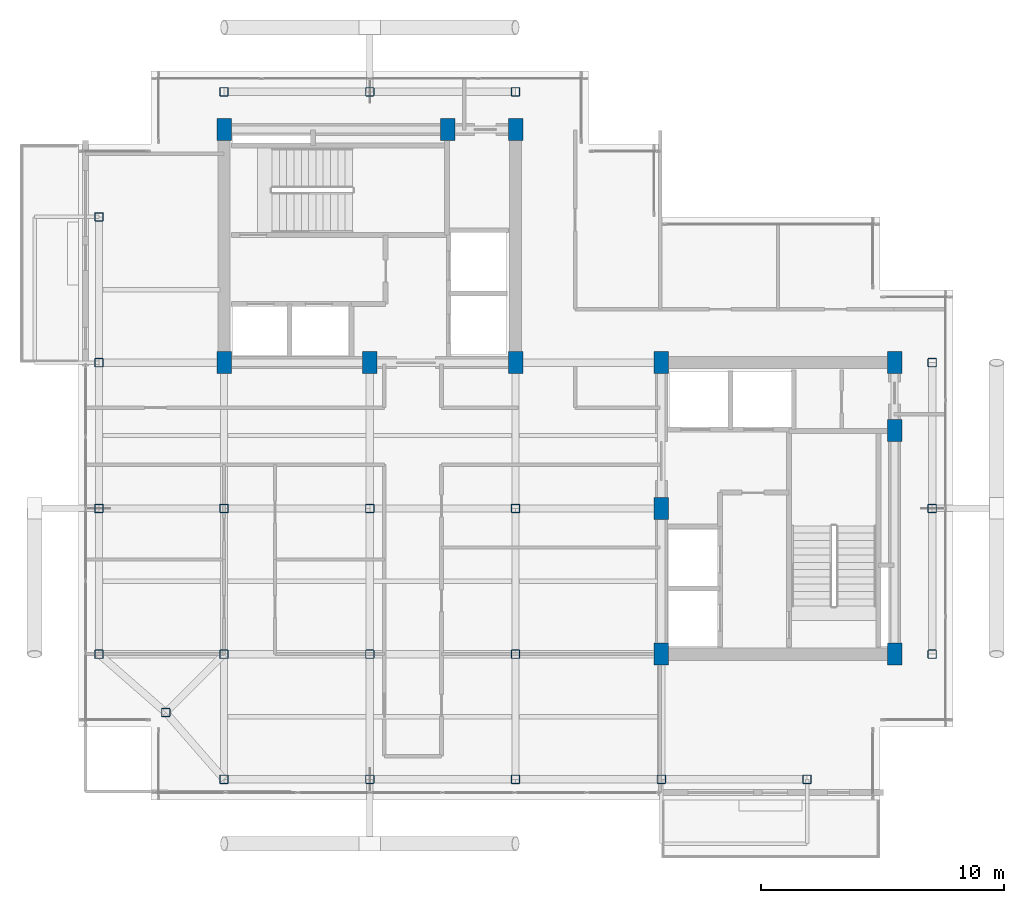
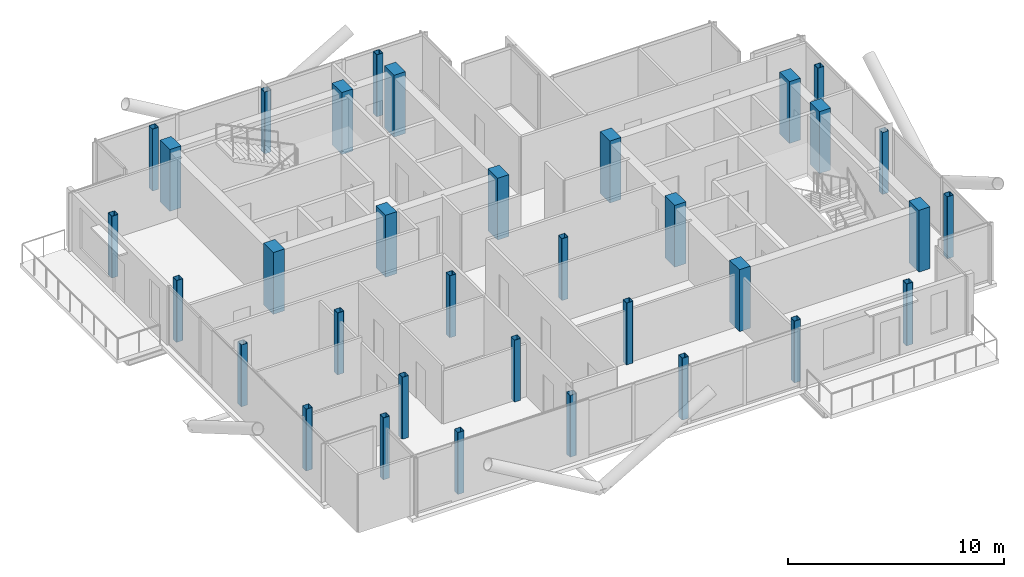
# One storey, part 1 of 18: 34 columns.
"""IFC4 building model written with IfcOpenShell, lengths in metres."""

from ifc_helpers import new_model, si_unit, direction, frame, origin, origin_2d, place, context, subcontext, project, spatial, rectangle, hollow_rectangle, extrude, material, material_profile, profile_set, type_object, element, save


model = new_model("IFC4")

# Units and contexts
model_context = context("Model", 3, precision=1e-05, world=origin(), true_north=direction((0.0, 1.0)))
body_context = subcontext(model_context, "Body", "Model", "MODEL_VIEW")
ifc_project = project(units=[si_unit("LENGTHUNIT", "METRE"), si_unit("AREAUNIT", "SQUARE_METRE"), si_unit("VOLUMEUNIT", "CUBIC_METRE"), si_unit("PLANEANGLEUNIT", "RADIAN"), si_unit("MASSUNIT", "GRAM", prefix="KILO"), si_unit("THERMODYNAMICTEMPERATUREUNIT", "KELVIN"), si_unit("POWERUNIT", "WATT")], contexts=[model_context])

# Site, building, storey
site_placement = place(None, origin())
site = spatial("IfcSite", under=ifc_project, at=site_placement, CompositionType="ELEMENT")
building_placement = place(site_placement, origin())
building = spatial("IfcBuilding", under=site, at=building_placement, Name="Svarakhadi Broadcast Tower", CompositionType="ELEMENT")
storey_placement = place(building_placement, frame((0.0, 0.0, 260.699951171875)))
storey = spatial("IfcBuildingStorey", under=building, at=storey_placement, Name="L65", CompositionType="ELEMENT", Elevation=260.699951171875)

# Columns
ifc_material_1 = material(Name="Concrete C50/60 (IS 456 M60)", Category="concrete")
ifc_material_profile_1 = material_profile(ifc_material_1, rectangle(XDim=0.60009765625, YDim=0.89990234375, at=origin_2d()), Name="RC 600x900")
ifc_profile_set_1 = profile_set([ifc_material_profile_1], Name="Concrete C50/60 (IS 456 M60)")
column_type_1 = type_object("IfcColumnType", Name="Col_RC600", PredefinedType="COLUMN", material=ifc_profile_set_1)
for number, where, z_axis, x_axis, name in (
    (1, (6.0, 18.0, 0.0), (0.0, 0.0, 1.0), (1.0, 0.0, 0.0), "L65 Column CW1"),
    (2, (12.0, 18.0, 0.0), (0.0, 0.0, 1.0), (1.0, 0.0, 0.0), "L65 Column CW2"),
    (3, (18.0, 18.0, 0.0), (0.0, 0.0, 1.0), (1.0, 0.0, 0.0), "L65 Column CW3"),
    (4, (6.0, 27.60009765625, 0.0), (0.0, 0.0, 1.0), (1.0, 0.0, 0.0), "L65 Column CW4"),
    (5, (15.199951171875, 27.60009765625, 0.0), (0.0, 0.0, 1.0), (1.0, 0.0, 0.0), "L65 Column CW5"),
    (6, (18.0, 27.60009765625, 0.0), (0.0, 0.0, 1.0), (1.0, 0.0, 0.0), "L65 Column CW6"),
    (7, (24.0, 6.0, 0.0), (0.0, 0.0, 1.0), (1.0, 0.0, 0.0), "L65 Column CE1"),
    (8, (24.0, 12.0, 0.0), (0.0, 0.0, 1.0), (1.0, 0.0, 0.0), "L65 Column CE2"),
    (9, (24.0, 18.0, 0.0), (0.0, 0.0, 1.0), (1.0, 0.0, 0.0), "L65 Column CE3"),
    (10, (33.60009765625, 6.0, 0.0), (0.0, 0.0, 1.0), (1.0, 0.0, 0.0), "L65 Column CE4"),
    (11, (33.60009765625, 15.199951171875, 0.0), (0.0, 0.0, 1.0), (1.0, 0.0, 0.0), "L65 Column CE5"),
    (12, (33.60009765625, 18.0, 0.0), (0.0, 0.0, 1.0), (1.0, 0.0, 0.0), "L65 Column CE6"),
):
    element("IfcColumn", number, at=place(storey_placement, frame(where, z_axis=z_axis, x_axis=x_axis)), inside=storey, type_object=column_type_1, Name=name, PredefinedType="COLUMN", context=body_context, shape_type="SweptSolid", body=[
        extrude(rectangle(XDim=0.60009765625, YDim=0.89990234375, at=origin_2d()), origin(), (0.0, 0.0, 1.0), 3.5),
    ])
ifc_material_2 = material(Name="Steel S460ML (IS 2062 E450BR)", Category="steel")
ifc_material_profile_2 = material_profile(ifc_material_2, hollow_rectangle(XDim=0.35009765625, YDim=0.35009765625, WallThickness=0.01611328125, InnerFilletRadius=0.01611328125, OuterFilletRadius=0.031982421875, at=origin_2d()), Name="SHS 350x350x16")
ifc_profile_set_2 = profile_set([ifc_material_profile_2], Name="Steel S460ML (IS 2062 E450BR)")
column_type_2 = type_object("IfcColumnType", Name="Col_SHS350", PredefinedType="COLUMN", material=ifc_profile_set_2)
for number, where, z_axis, x_axis, name in (
    (13, (3.60009765625, 3.60009765625, 0.0), (0.0, 0.0, 1.0), (1.0, 0.0, 0.0), "L65 Column G01"),
    (14, (0.85009765625, 6.0, 0.0), (0.0, 0.0, 1.0), (1.0, 0.0, 0.0), "L65 Column G03"),
    (15, (0.85009765625, 12.0, 0.0), (0.0, 0.0, 1.0), (1.0, 0.0, 0.0), "L65 Column G04"),
    (16, (0.85009765625, 18.0, 0.0), (0.0, 0.0, 1.0), (1.0, 0.0, 0.0), "L65 Column G05"),
    (17, (0.85009765625, 24.0, 0.0), (0.0, 0.0, 1.0), (1.0, 0.0, 0.0), "L65 Column G06"),
    (18, (6.0, 0.85009765625, 0.0), (0.0, 0.0, 1.0), (1.0, 0.0, 0.0), "L65 Column G11"),
    (19, (6.0, 6.0, 0.0), (0.0, 0.0, 1.0), (1.0, 0.0, 0.0), "L65 Column G12"),
    (20, (6.0, 12.0, 0.0), (0.0, 0.0, 1.0), (1.0, 0.0, 0.0), "L65 Column G13"),
    (21, (6.0, 29.14990234375, 0.0), (0.0, 0.0, 1.0), (1.0, 0.0, 0.0), "L65 Column G14"),
    (22, (12.0, 0.85009765625, 0.0), (0.0, 0.0, 1.0), (1.0, 0.0, 0.0), "L65 Column G18"),
    (23, (12.0, 6.0, 0.0), (0.0, 0.0, 1.0), (1.0, 0.0, 0.0), "L65 Column G19"),
    (24, (12.0, 12.0, 0.0), (0.0, 0.0, 1.0), (1.0, 0.0, 0.0), "L65 Column G20"),
    (25, (12.0, 29.14990234375, 0.0), (0.0, 0.0, 1.0), (1.0, 0.0, 0.0), "L65 Column G21"),
    (26, (18.0, 0.85009765625, 0.0), (0.0, 0.0, 1.0), (1.0, 0.0, 0.0), "L65 Column G25"),
    (27, (18.0, 6.0, 0.0), (0.0, 0.0, 1.0), (1.0, 0.0, 0.0), "L65 Column G26"),
    (28, (18.0, 12.0, 0.0), (0.0, 0.0, 1.0), (1.0, 0.0, 0.0), "L65 Column G27"),
    (29, (18.0, 29.14990234375, 0.0), (0.0, 0.0, 1.0), (1.0, 0.0, 0.0), "L65 Column G28"),
    (30, (24.0, 0.85009765625, 0.0), (0.0, 0.0, 1.0), (1.0, 0.0, 0.0), "L65 Column G32"),
    (31, (30.0, 0.85009765625, 0.0), (0.0, 0.0, 1.0), (1.0, 0.0, 0.0), "L65 Column G36"),
    (32, (35.14990234375, 6.0, 0.0), (0.0, 0.0, 1.0), (1.0, 0.0, 0.0), "L65 Column G39"),
    (33, (35.14990234375, 12.0, 0.0), (0.0, 0.0, 1.0), (1.0, 0.0, 0.0), "L65 Column G40"),
    (34, (35.14990234375, 18.0, 0.0), (0.0, 0.0, 1.0), (1.0, 0.0, 0.0), "L65 Column G41"),
):
    element("IfcColumn", number, at=place(storey_placement, frame(where, z_axis=z_axis, x_axis=x_axis)), inside=storey, type_object=column_type_2, Name=name, PredefinedType="COLUMN", context=body_context, shape_type="SweptSolid", body=[
        extrude(hollow_rectangle(XDim=0.35009765625, YDim=0.35009765625, WallThickness=0.01611328125, InnerFilletRadius=0.01611328125, OuterFilletRadius=0.031982421875, at=origin_2d()), origin(), (0.0, 0.0, 1.0), 3.5),
    ])

save(model, "model.ifc")
